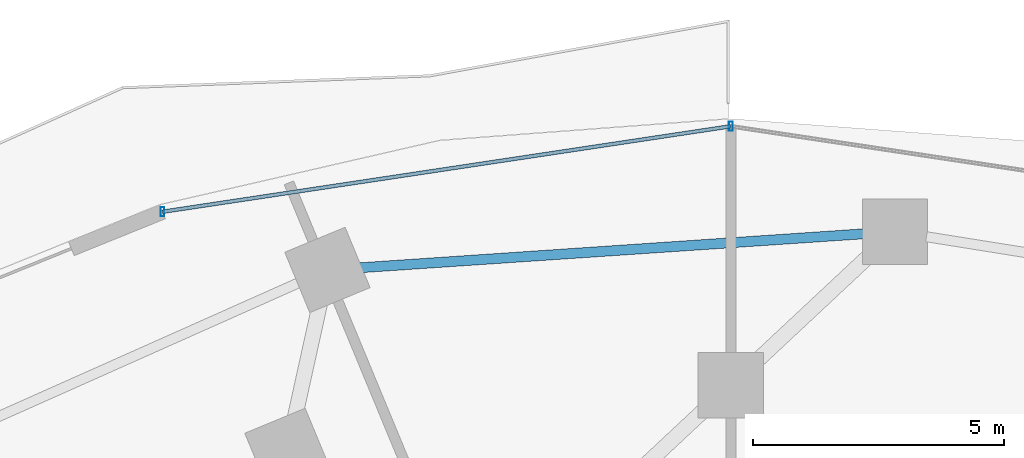
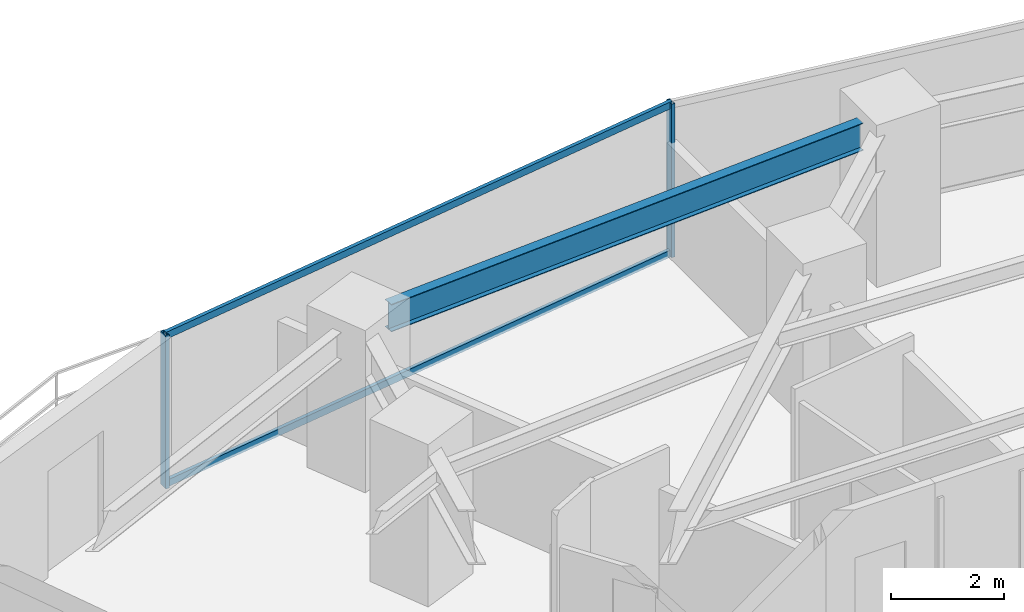
# One storey, part 21 of 34: 4 members, 1 beam, 1 element without a shape of its own.
"""IFC4 building model written with IfcOpenShell, lengths in metres."""

from ifc_helpers import new_model, si_unit, direction, frame, origin, origin_2d, place, context, subcontext, project, spatial, hollow_rectangle, i_section, extrude, material, material_profile, profile_set, type_object, element, aggregate, save


model = new_model("IFC4")

# Units and contexts
model_context = context("Model", 3, precision=1e-05, world=origin(), true_north=direction((0.0, 1.0)))
body_context = subcontext(model_context, "Body", "Model", "MODEL_VIEW")
ifc_project = project(units=[si_unit("LENGTHUNIT", "METRE"), si_unit("AREAUNIT", "SQUARE_METRE"), si_unit("VOLUMEUNIT", "CUBIC_METRE"), si_unit("PLANEANGLEUNIT", "RADIAN"), si_unit("MASSUNIT", "GRAM", prefix="KILO")], contexts=[model_context])

# Site, building, storey
site_placement = place(None, origin())
site = spatial("IfcSite", under=ifc_project, at=site_placement, CompositionType="ELEMENT")
building_placement = place(site_placement, origin())
building = spatial("IfcBuilding", under=site, at=building_placement, Name="Vorneva Point Tower", CompositionType="ELEMENT")
storey_placement = place(building_placement, frame((0.0, 0.0, 27.5)))
storey = spatial("IfcBuildingStorey", under=building, at=storey_placement, Name="L06", CompositionType="ELEMENT", Elevation=27.5)

# Beam
ifc_material_1 = material(Name="Steel S355", Category="steel")
ifc_material_profile_1 = material_profile(ifc_material_1, i_section(OverallWidth=0.198974609375, OverallDepth=0.595947265625, WebThickness=0.010009765625, FlangeThickness=0.014892578125, at=origin_2d()), Name="60B1")
ifc_profile_set_1 = profile_set([ifc_material_profile_1], Name="Steel S355")
beam_type = type_object("IfcBeamType", Name="BM-SPN-60B1", PredefinedType="SPANDREL", material=ifc_profile_set_1)
beam_placement = place(storey_placement, frame((40.631591796875, 46.209716796875, 2.94189453125), z_axis=(-0.997736943545, -0.067238318585, 0.0), x_axis=(0.067238318585, -0.997736943545, 0.0)))
element("IfcBeam", 1, at=beam_placement, inside=storey, type_object=beam_type, Name="L06 Perimeter Spandrel Ring Beam 05", PredefinedType="SPANDREL", context=body_context, shape_type="SweptSolid", body=[
    extrude(i_section(OverallWidth=0.198974609375, OverallDepth=0.595947265625, WebThickness=0.010009765625, FlangeThickness=0.014892578125, at=origin_2d()), origin(), (0.0, 0.0, 1.0), 10.046875),
])

# Curtain wall, members
ifc_material_2 = material(Name="Pale anodised aluminium", Category="aluminium")
curtain_wall_type = type_object("IfcCurtainWallType", Name="CW-HTL-SYS", PredefinedType="NOTDEFINED", material=ifc_material_2)
curtain_wall_placement = place(storey_placement, origin())
curtain_wall = element("IfcCurtainWall", 2, at=curtain_wall_placement, inside=storey, type_object=curtain_wall_type, Name="L06 Unitised Curtain Wall CW-L06-R02", PredefinedType="NOTDEFINED")
ifc_material_profile_2 = material_profile(ifc_material_2, hollow_rectangle(XDim=0.074951171875, YDim=0.179931640625, WallThickness=0.00390625, at=origin_2d()), Name="AL-MUL 180x75x4")
ifc_profile_set_2 = profile_set([ifc_material_profile_2], Name="Pale anodised aluminium")
member_type_1 = type_object("IfcMemberType", Name="CW-MUL-180", PredefinedType="MULLION", material=ifc_profile_set_2)
member_1_placement = place(storey_placement, frame((38.0, 48.35009765625, -0.0400390625), z_axis=(0.0, 0.0, 1.0), x_axis=(1.0, 0.0, 0.0)))
member_1 = element("IfcMember", 3, at=member_1_placement, type_object=member_type_1, Name="CW-L06-R02 Mullion 03", PredefinedType="MULLION", context=body_context, shape_type="SweptSolid", body=[
    extrude(hollow_rectangle(XDim=0.074951171875, YDim=0.179931640625, WallThickness=0.00390625, at=origin_2d()), origin(), (0.0, 0.0, 1.0), 3.31005859375),
])
member_2_placement = place(storey_placement, frame((26.691650390625, 46.648681640625, -0.0400390625), z_axis=(0.0, 0.0, 1.0), x_axis=(1.0, 0.0, 0.0)))
member_2 = element("IfcMember", 4, at=member_2_placement, type_object=member_type_1, Name="CW-L06-R02 Mullion 04", PredefinedType="MULLION", context=body_context, shape_type="SweptSolid", body=[
    extrude(hollow_rectangle(XDim=0.074951171875, YDim=0.179931640625, WallThickness=0.00390625, at=origin_2d()), origin(), (0.0, 0.0, 1.0), 3.31005859375),
])
ifc_material_profile_3 = material_profile(ifc_material_2, hollow_rectangle(XDim=0.074951171875, YDim=0.14990234375, WallThickness=0.00390625, at=origin_2d()), Name="AL-TRN 150x75x4")
ifc_profile_set_3 = profile_set([ifc_material_profile_3], Name="Pale anodised aluminium")
member_type_2 = type_object("IfcMemberType", Name="CW-TRN-150", PredefinedType="USERDEFINED", material=ifc_profile_set_3)
member_3_placement = place(storey_placement, frame((38.0, 48.35009765625, 0.02001953125), z_axis=(-0.988870014575, -0.148782036131, 0.0), x_axis=(0.148782036131, -0.988870014575, 0.0)))
member_3 = element("IfcMember", 5, at=member_3_placement, type_object=member_type_2, Name="CW-L06-R02 Transom 03.1", ObjectType="TRANSOM", PredefinedType="USERDEFINED", context=body_context, shape_type="SweptSolid", body=[
    extrude(hollow_rectangle(XDim=0.074951171875, YDim=0.14990234375, WallThickness=0.00390625, at=origin_2d()), origin(), (0.0, 0.0, 1.0), 11.435546875),
])
member_4_placement = place(storey_placement, frame((38.0, 48.35009765625, 3.219970703125), z_axis=(-0.988870014575, -0.148782036131, 0.0), x_axis=(0.148782036131, -0.988870014575, 0.0)))
member_4 = element("IfcMember", 6, at=member_4_placement, type_object=member_type_2, Name="CW-L06-R02 Transom 03.2", ObjectType="TRANSOM", PredefinedType="USERDEFINED", context=body_context, shape_type="SweptSolid", body=[
    extrude(hollow_rectangle(XDim=0.074951171875, YDim=0.14990234375, WallThickness=0.00390625, at=origin_2d()), origin(), (0.0, 0.0, 1.0), 11.435546875),
])
aggregate(curtain_wall, [member_1, member_2, member_3, member_4])

save(model, "model.ifc")
